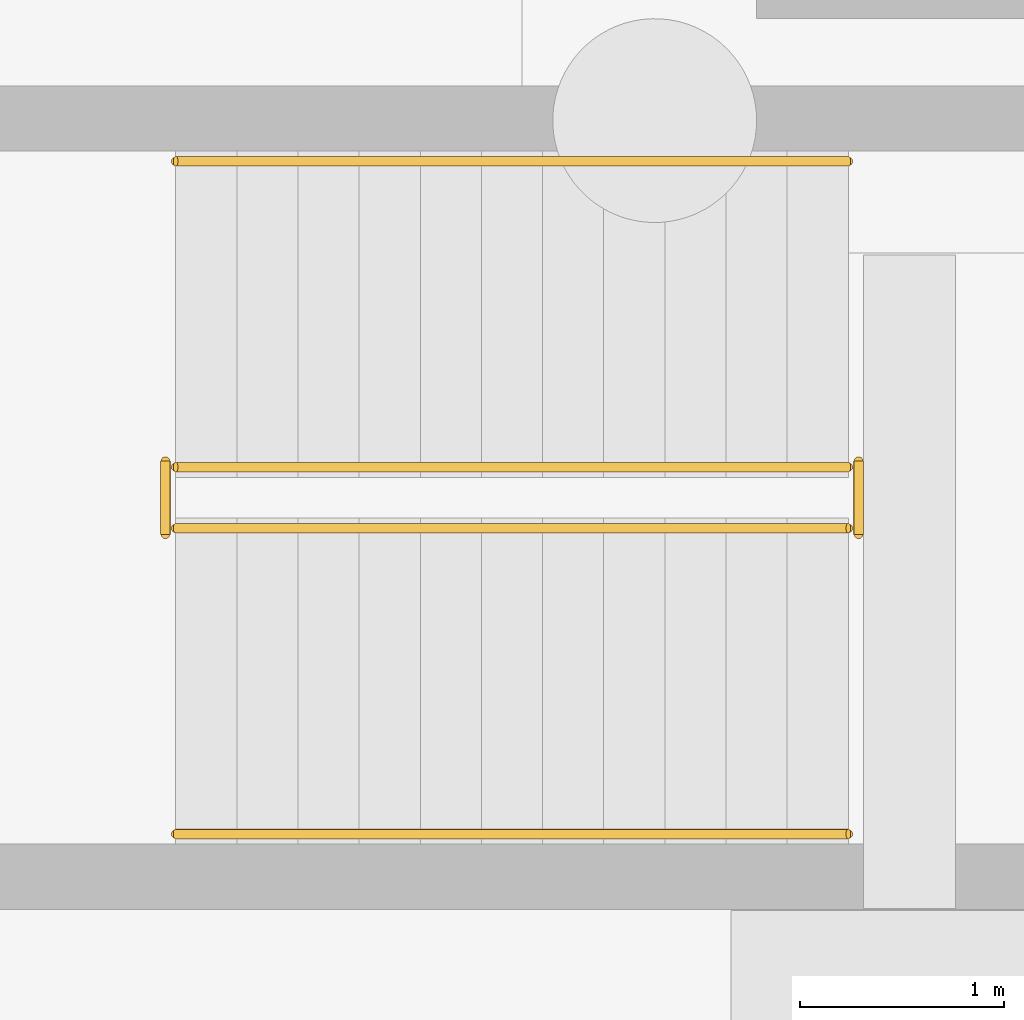
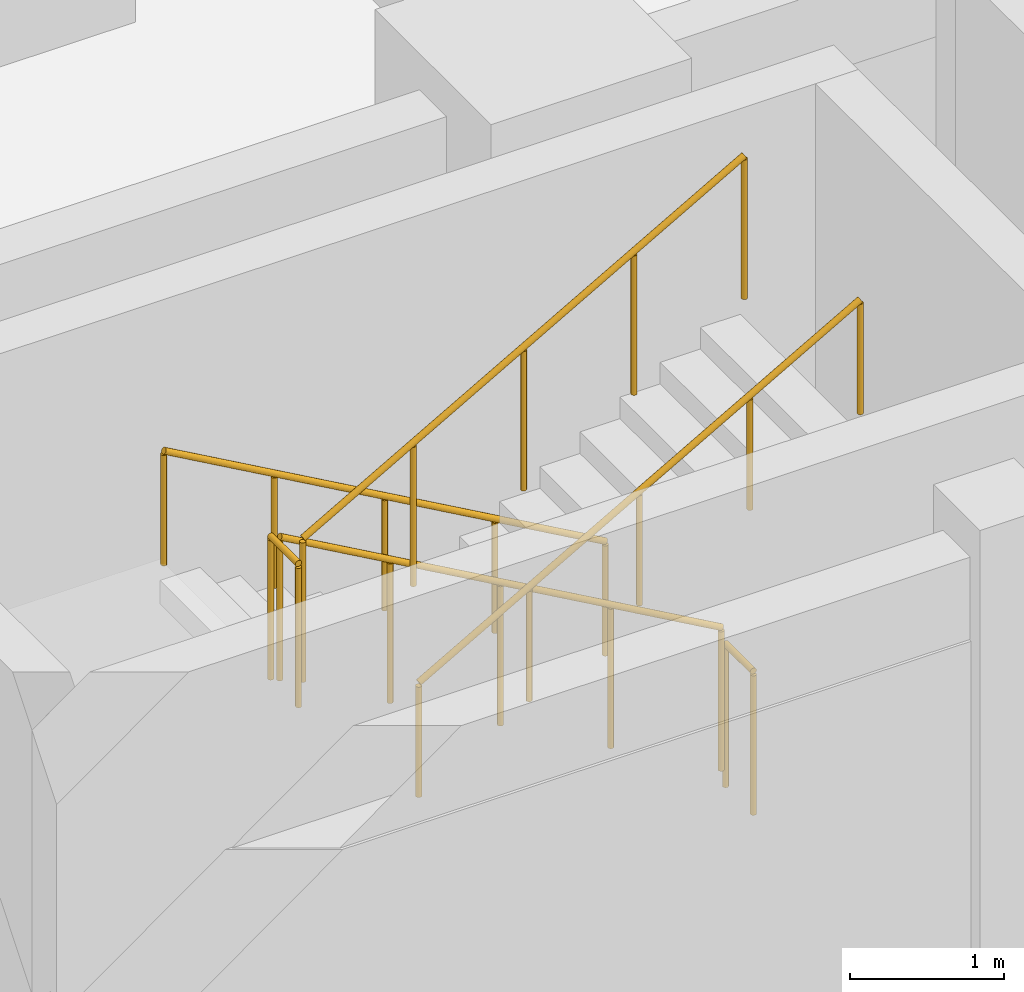
# One storey, part 18 of 20: 6 railings.
"""IFC4 building model written with IfcOpenShell, lengths in metres."""

import ifcopenshell
import ifcopenshell.guid

model = None  # the IFC model being written
_history = None  # IfcOwnerHistory: only IFC2X3 demands one
_inside = {}  # id of a spatial element -> (the spatial element, [elements in it])
_under = {}  # id of a project, library or spatial element -> (it, [spatial elements below it])
_declared = {}  # id of a project -> (the project, [libraries it declares])
_typed = {}  # id of a type object -> (the type object, [elements of that type])
_made_of = {}  # id of a material, layer set ... -> (it, [elements and type objects made of it])


def new_model(schema):
    """Start an empty IFC model of exactly this schema.

    Asked for "IFC4X3", IfcOpenShell would pick the latest addendum, in which some entities
    have other attributes; the version numbers below select the first issue.
    IFC2X3 requires an IfcOwnerHistory on every rooted entity: one is made here for all.
    """
    global model, _history
    if schema == "IFC4X3":
        model = ifcopenshell.file(schema_version=(4, 3, 0, 0))
    else:
        model = ifcopenshell.file(schema=schema)
    _inside.clear()
    _under.clear()
    _declared.clear()
    _typed.clear()
    _made_of.clear()
    _history = None
    if model.schema == "IFC2X3":
        org = make("IfcOrganization", Name="unknown")
        user = make(
            "IfcPersonAndOrganization",
            ThePerson=make("IfcPerson", FamilyName="unknown"),
            TheOrganization=org,
        )
        app = make(
            "IfcApplication",
            ApplicationDeveloper=org,
            Version="unknown",
            ApplicationFullName="unknown",
            ApplicationIdentifier="unknown",
        )
        _history = make(
            "IfcOwnerHistory",
            OwningUser=user,
            OwningApplication=app,
            ChangeAction="ADDED",
            CreationDate=0,
        )
    return model


def make(cls, **values):
    """One entity of the class cls with the attributes given. An attribute that is None is left unset."""
    return model.create_entity(
        cls, **{name: value for name, value in values.items() if value is not None}
    )


def rooted(cls, **values):
    """An entity with a GlobalId (a new one), such as an element, a storey or a relation."""
    return make(cls, GlobalId=ifcopenshell.guid.new(), OwnerHistory=_history, **values)


def si_unit(unit_type, name, prefix=None):
    """IfcSIUnit, for example si_unit("LENGTHUNIT", "METRE", prefix="MILLI")."""
    return make("IfcSIUnit", UnitType=unit_type, Prefix=prefix, Name=name)


def assignment(units):
    """IfcUnitAssignment: the units of a project."""
    return None if units is None else make("IfcUnitAssignment", Units=units)


def point(xyz):
    """IfcCartesianPoint."""
    return None if xyz is None else make("IfcCartesianPoint", Coordinates=xyz)


def direction(xyz):
    """IfcDirection."""
    return None if xyz is None else make("IfcDirection", DirectionRatios=xyz)


def frame(location, z_axis=None, x_axis=None):
    """IfcAxis2Placement3D, a coordinate frame: its origin and axes. An axis left out is left unset."""
    return make(
        "IfcAxis2Placement3D",
        Location=point(location),
        Axis=direction(z_axis),
        RefDirection=direction(x_axis),
    )


def frame_2d(location, x_axis=None):
    """IfcAxis2Placement2D, a coordinate frame in the plane: its origin and x axis."""
    return make(
        "IfcAxis2Placement2D", Location=point(location), RefDirection=direction(x_axis)
    )


def origin():
    """The frame at (0, 0, 0) with its axes left unset."""
    return frame((0.0, 0.0, 0.0))


def origin_2d():
    """The frame at (0, 0) in the plane with its x axis left unset."""
    return frame_2d((0.0, 0.0))


def place(relative_to, where):
    """IfcLocalPlacement: puts the frame where relative to a parent placement (None: the world)."""
    return make(
        "IfcLocalPlacement", PlacementRelTo=relative_to, RelativePlacement=where
    )


def context(
    kind, dimensions, precision=None, world=None, true_north=None, identifier=None
):
    """IfcGeometricRepresentationContext, for example the 3D "Model" context."""
    return make(
        "IfcGeometricRepresentationContext",
        ContextIdentifier=identifier,
        ContextType=kind,
        CoordinateSpaceDimension=dimensions,
        Precision=precision,
        WorldCoordinateSystem=world,
        TrueNorth=true_north,
    )


def subcontext(parent, identifier, kind, view, scale=None):
    """IfcGeometricRepresentationSubContext, for example "Body" below "Model"."""
    return make(
        "IfcGeometricRepresentationSubContext",
        ContextIdentifier=identifier,
        ContextType=kind,
        ParentContext=parent,
        TargetScale=scale,
        TargetView=view,
    )


def project(units=None, contexts=None):
    """IfcProject with its units and contexts."""
    return rooted(
        "IfcProject",
        Name="project",
        RepresentationContexts=contexts,
        UnitsInContext=assignment(units),
    )


def spatial(cls, under=None, at=None, **own):
    """A site, building, storey or space (cls), placed at a placement, below another one or the project."""
    s = rooted(cls, ObjectPlacement=at, **own)
    if under is not None:
        _under.setdefault(under.id(), (under, []))[1].append(s)
    return s


def profile(cls, at=None, kind="AREA", **sizes):
    """A parametric profile (cls). Its sizes go by their IFC names, for example OverallWidth=200.0."""
    return make(cls, ProfileType=kind, Position=at, **sizes)


def circle(**sizes):
    """IfcCircleProfileDef."""
    return profile("IfcCircleProfileDef", **sizes)


def extrude(swept, where, along, depth):
    """IfcExtrudedAreaSolid: the profile swept, set in the frame where, extruded along a direction by depth."""
    return make(
        "IfcExtrudedAreaSolid",
        SweptArea=swept,
        Position=where,
        ExtrudedDirection=direction(along),
        Depth=depth,
    )


def shape(context_of_items, identifier, shape_type, items):
    """IfcShapeRepresentation: the items that make up one representation, for example the "Body"."""
    return make(
        "IfcShapeRepresentation",
        ContextOfItems=context_of_items,
        RepresentationIdentifier=identifier,
        RepresentationType=shape_type,
        Items=items,
    )


def material(Name=None, Category=None):
    """IfcMaterial."""
    return make("IfcMaterial", Name=Name, Category=Category)


def made_of(thing, what):
    """Note that an element or type object is made of a material, layer set ...; save() writes the relation."""
    if what is not None:
        _made_of.setdefault(what.id(), (what, []))[1].append(thing)
    return thing


def type_object(cls, material=None, **own):
    """A type object (cls), such as IfcWallType, which elements share."""
    return made_of(rooted(cls, **own), material)


def element(
    cls,
    number,
    at=None,
    inside=None,
    cuts=None,
    type_object=None,
    material=None,
    context=None,
    identifier="Body",
    shape_type=None,
    held_by="IfcProductDefinitionShape",
    body=None,
    shapes=None,
    **own,
):
    """One element of the class cls, such as IfcWall. Its Tag is "e" and its number.

    at: its placement. inside: the storey or other place that contains it. cuts: it is an
    opening in that element (IfcRelVoidsElement). A single representation is given by context,
    identifier, shape_type and body (its items); several are given by shapes. held_by: the class
    of the entity that holds the representations. save() writes the other relations.
    """
    e = rooted(cls, Tag="e%d" % number, ObjectPlacement=at, **own)
    if body is not None:
        shapes = [shape(context, identifier, shape_type, body)]
    if shapes is not None:
        e.Representation = make(held_by, Representations=shapes)
    if inside is not None:
        _inside.setdefault(inside.id(), (inside, []))[1].append(e)
    if cuts is not None:
        rooted(
            "IfcRelVoidsElement", RelatingBuildingElement=cuts, RelatedOpeningElement=e
        )
    if type_object is not None:
        _typed.setdefault(type_object.id(), (type_object, []))[1].append(e)
    return made_of(e, material)


def aggregate(whole, parts):
    """IfcRelAggregates: a whole, such as a stair, and the parts it consists of."""
    return rooted("IfcRelAggregates", RelatingObject=whole, RelatedObjects=parts)


def save(model, path):
    """Write the relations noted so far, then the file.

    IfcRelAggregates (storeys below a building ...), IfcRelContainedInSpatialStructure (elements
    in a storey), IfcRelDefinesByType, IfcRelAssociatesMaterial and IfcRelDeclares: one each for
    every whole, place, type object, material and project.
    """
    for whole, parts in _under.values():
        aggregate(whole, parts)
    for where, things in _inside.values():
        rooted(
            "IfcRelContainedInSpatialStructure",
            RelatedElements=things,
            RelatingStructure=where,
        )
    for kind, things in _typed.values():
        rooted("IfcRelDefinesByType", RelatedObjects=things, RelatingType=kind)
    for what, things in _made_of.values():
        rooted("IfcRelAssociatesMaterial", RelatedObjects=things, RelatingMaterial=what)
    for by, libraries in _declared.values():
        rooted("IfcRelDeclares", RelatingContext=by, RelatedDefinitions=libraries)
    model.write(path)


model = new_model("IFC4")

# Units and contexts
model_context = context("Model", 3, precision=1e-05, world=origin(), true_north=direction((0.0, 1.0)))
body_context = subcontext(model_context, "Body", "Model", "MODEL_VIEW")
ifc_project = project(units=[si_unit("LENGTHUNIT", "METRE"), si_unit("AREAUNIT", "SQUARE_METRE"), si_unit("VOLUMEUNIT", "CUBIC_METRE"), si_unit("PLANEANGLEUNIT", "RADIAN"), si_unit("MASSUNIT", "GRAM", prefix="KILO")], contexts=[model_context])

# Site, building, storey
site_placement = place(None, origin())
site = spatial("IfcSite", under=ifc_project, at=site_placement, CompositionType="ELEMENT")
building_placement = place(site_placement, origin())
building = spatial("IfcBuilding", under=site, at=building_placement, Name="Nzembalo Square Collegiate School", CompositionType="ELEMENT")
storey_placement = place(building_placement, frame((0.0, 0.0, -4.080078125)))
storey = spatial("IfcBuildingStorey", under=building, at=storey_placement, Name="B1", CompositionType="ELEMENT", Elevation=-4.080078125)

# Railings
ifc_material_1 = material(Name="Steel S355", Category="steel")
railing_type_1 = type_object("IfcRailingType", Name="GR01", PredefinedType="GUARDRAIL", material=ifc_material_1)
railing_1_placement = place(storey_placement, frame((15.300048828125, 47.449951171875, 0.16015625)))
element("IfcRailing", 1, at=railing_1_placement, inside=storey, type_object=railing_type_1, Name="Stair guard GR-01-1", PredefinedType="GUARDRAIL", context=body_context, shape_type="SweptSolid", body=[
    extrude(circle(Radius=0.02392578125, at=origin_2d()), frame((0.0, 0.0, 1.1259765625), z_axis=(-0.870039670856, 0.0, 0.49298171481), x_axis=(0.0, -1.0, 0.0)), (0.0, 0.0, 1.0), 3.79296875),
    extrude(circle(Radius=0.02099609375, at=origin_2d()), origin(), (0.0, 0.0, 1.0), 1.101806640625),
    extrude(circle(Radius=0.02099609375, at=origin_2d()), frame((-0.824951171875, 0.0, 0.467529296875)), (0.0, 0.0, 1.0), 1.101806640625),
    extrude(circle(Radius=0.02099609375, at=origin_2d()), frame((-1.64990234375, 0.0, 0.93505859375)), (0.0, 0.0, 1.0), 1.101806640625),
    extrude(circle(Radius=0.02099609375, at=origin_2d()), frame((-2.47509765625, 0.0, 1.40234375)), (0.0, 0.0, 1.0), 1.101806640625),
    extrude(circle(Radius=0.02099609375, at=origin_2d()), frame((-3.300048828125, 0.0, 1.869873046875)), (0.0, 0.0, 1.0), 1.101806640625),
])
railing_2_placement = place(storey_placement, frame((11.949951171875, 47.1201171875, 2.03515625)))
element("IfcRailing", 2, at=railing_2_placement, inside=storey, type_object=railing_type_1, Name="Stair guard GR-01-2", PredefinedType="GUARDRAIL", context=body_context, shape_type="SweptSolid", body=[
    extrude(circle(Radius=0.02392578125, at=origin_2d()), frame((0.0, 0.0, 1.1259765625), z_axis=(0.0, 1.0, 0.0), x_axis=(-1.0, 0.0, 0.0)), (0.0, 0.0, 1.0), 0.35986328125),
    extrude(circle(Radius=0.02099609375, at=origin_2d()), origin(), (0.0, 0.0, 1.0), 1.101806640625),
    extrude(circle(Radius=0.02099609375, at=origin_2d()), frame((0.0, 0.35986328125, 0.0)), (0.0, 0.0, 1.0), 1.101806640625),
])
railing_3_placement = place(storey_placement, frame((12.0, 47.14990234375, 2.2001953125)))
element("IfcRailing", 3, at=railing_3_placement, inside=storey, type_object=railing_type_1, Name="Stair guard GR-01-3", PredefinedType="GUARDRAIL", context=body_context, shape_type="SweptSolid", body=[
    extrude(circle(Radius=0.02392578125, at=origin_2d()), frame((0.0, 0.0, 1.1259765625), z_axis=(0.870039670856, 0.0, 0.49298171481), x_axis=(0.0, 1.0, 0.0)), (0.0, 0.0, 1.0), 3.79296875),
    extrude(circle(Radius=0.02099609375, at=origin_2d()), origin(), (0.0, 0.0, 1.0), 1.101806640625),
    extrude(circle(Radius=0.02099609375, at=origin_2d()), frame((0.824951171875, 0.0, 0.467529296875)), (0.0, 0.0, 1.0), 1.101806640625),
    extrude(circle(Radius=0.02099609375, at=origin_2d()), frame((1.64990234375, 0.0, 0.93505859375)), (0.0, 0.0, 1.0), 1.101806640625),
    extrude(circle(Radius=0.02099609375, at=origin_2d()), frame((2.47509765625, 0.0, 1.40234375)), (0.0, 0.0, 1.0), 1.101806640625),
    extrude(circle(Radius=0.02099609375, at=origin_2d()), frame((3.300048828125, 0.0, 1.869873046875)), (0.0, 0.0, 1.0), 1.101806640625),
])
railing_4_placement = place(storey_placement, frame((15.35009765625, 47.1201171875, -0.0048828125)))
element("IfcRailing", 4, at=railing_4_placement, inside=storey, type_object=railing_type_1, Name="Stair guard GR-01-4", PredefinedType="GUARDRAIL", context=body_context, shape_type="SweptSolid", body=[
    extrude(circle(Radius=0.02392578125, at=origin_2d()), frame((0.0, 0.0, 1.1259765625), z_axis=(0.0, 1.0, 0.0), x_axis=(-1.0, 0.0, 0.0)), (0.0, 0.0, 1.0), 0.35986328125),
    extrude(circle(Radius=0.02099609375, at=origin_2d()), origin(), (0.0, 0.0, 1.0), 1.101806640625),
    extrude(circle(Radius=0.02099609375, at=origin_2d()), frame((0.0, 0.35986328125, 0.0)), (0.0, 0.0, 1.0), 1.101806640625),
])
ifc_material_2 = material(Name="Steel S355", Category="steel")
railing_type_2 = type_object("IfcRailingType", Name="HR01", PredefinedType="HANDRAIL", material=ifc_material_2)
railing_5_placement = place(storey_placement, frame((15.300048828125, 48.949951171875, 0.16015625)))
element("IfcRailing", 5, at=railing_5_placement, inside=storey, type_object=railing_type_2, Name="Stair handrail HR-01-1", PredefinedType="HANDRAIL", context=body_context, shape_type="SweptSolid", body=[
    extrude(circle(Radius=0.02392578125, at=origin_2d()), frame((0.0, 0.0, 0.89599609375), z_axis=(-0.870039670856, 0.0, 0.49298171481), x_axis=(0.0, -1.0, 0.0)), (0.0, 0.0, 1.0), 3.79296875),
    extrude(circle(Radius=0.02099609375, at=origin_2d()), origin(), (0.0, 0.0, 1.0), 0.871826171875),
    extrude(circle(Radius=0.02099609375, at=origin_2d()), frame((-0.824951171875, 0.0, 0.467529296875)), (0.0, 0.0, 1.0), 0.871826171875),
    extrude(circle(Radius=0.02099609375, at=origin_2d()), frame((-1.64990234375, 0.0, 0.93505859375)), (0.0, 0.0, 1.0), 0.871826171875),
    extrude(circle(Radius=0.02099609375, at=origin_2d()), frame((-2.47509765625, 0.0, 1.40234375)), (0.0, 0.0, 1.0), 0.871826171875),
    extrude(circle(Radius=0.02099609375, at=origin_2d()), frame((-3.300048828125, 0.0, 1.869873046875)), (0.0, 0.0, 1.0), 0.871826171875),
])
railing_6_placement = place(storey_placement, frame((12.0, 45.64990234375, 2.2001953125)))
element("IfcRailing", 6, at=railing_6_placement, inside=storey, type_object=railing_type_2, Name="Stair handrail HR-01-2", PredefinedType="HANDRAIL", context=body_context, shape_type="SweptSolid", body=[
    extrude(circle(Radius=0.02392578125, at=origin_2d()), frame((0.0, 0.0, 0.89599609375), z_axis=(0.870039670856, 0.0, 0.49298171481), x_axis=(0.0, 1.0, 0.0)), (0.0, 0.0, 1.0), 3.79296875),
    extrude(circle(Radius=0.02099609375, at=origin_2d()), origin(), (0.0, 0.0, 1.0), 0.871826171875),
    extrude(circle(Radius=0.02099609375, at=origin_2d()), frame((0.824951171875, 0.0, 0.467529296875)), (0.0, 0.0, 1.0), 0.871826171875),
    extrude(circle(Radius=0.02099609375, at=origin_2d()), frame((1.64990234375, 0.0, 0.93505859375)), (0.0, 0.0, 1.0), 0.871826171875),
    extrude(circle(Radius=0.02099609375, at=origin_2d()), frame((2.47509765625, 0.0, 1.40234375)), (0.0, 0.0, 1.0), 0.871826171875),
    extrude(circle(Radius=0.02099609375, at=origin_2d()), frame((3.300048828125, 0.0, 1.869873046875)), (0.0, 0.0, 1.0), 0.871826171875),
])

save(model, "model.ifc")
